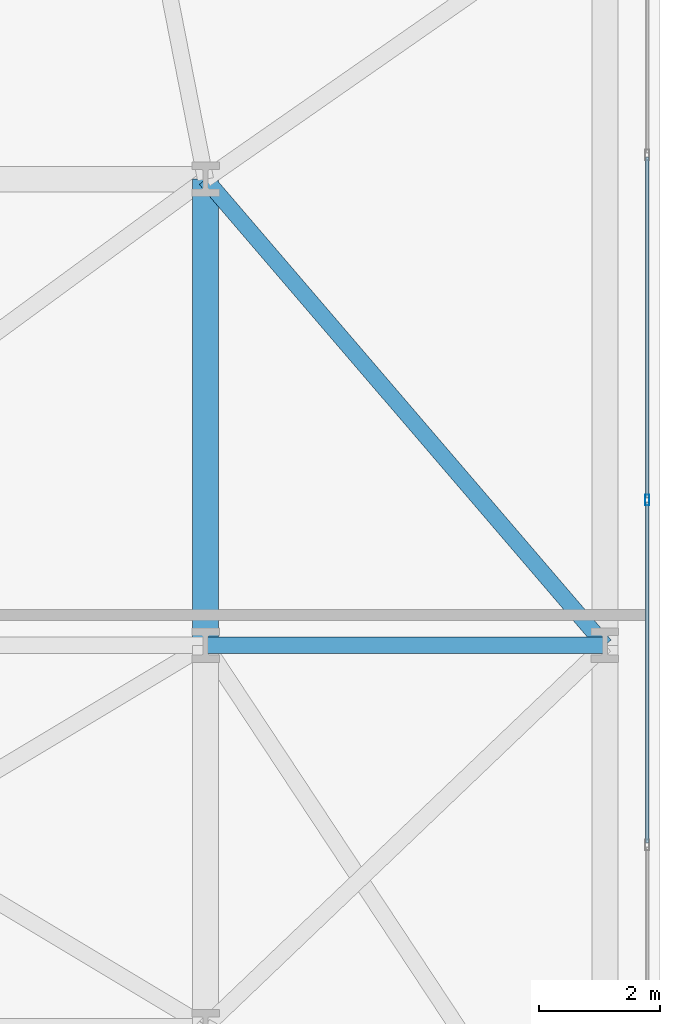
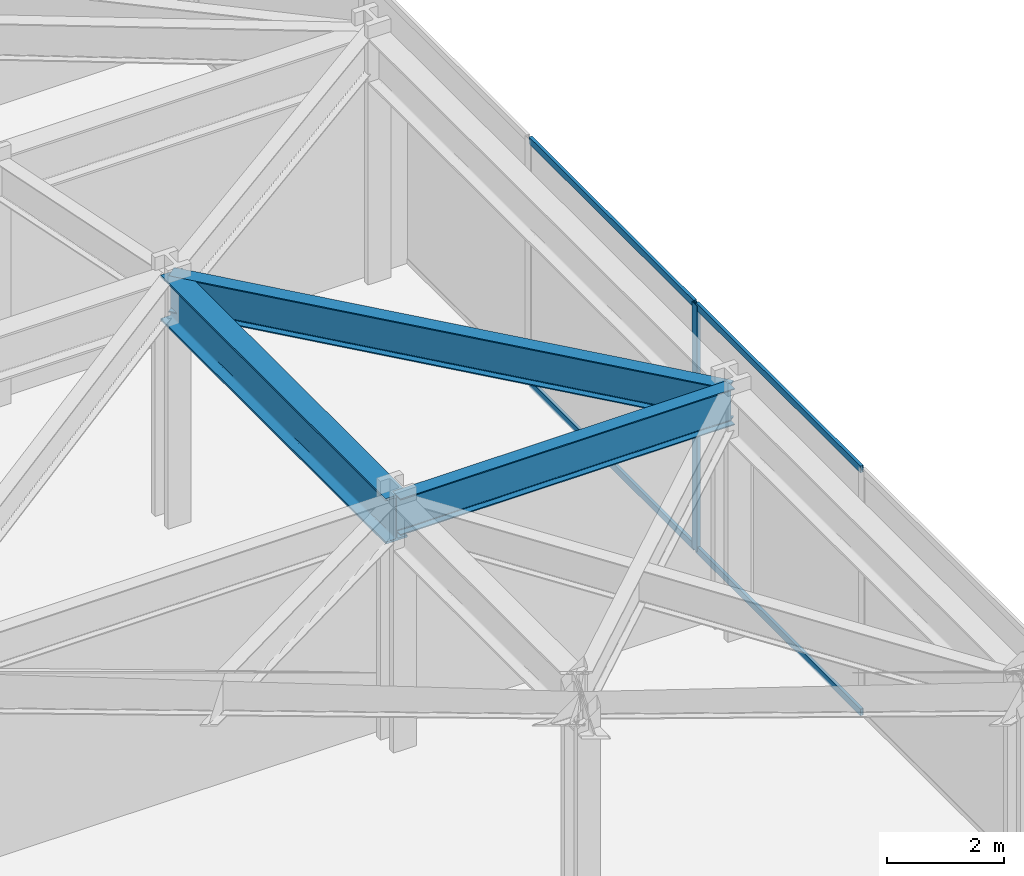
# One storey, part 21 of 31: 5 members, 3 beams, 1 element without a shape of its own.
"""IFC4 building model written with IfcOpenShell, lengths in metres."""

from ifc_helpers import new_model, si_unit, direction, frame, origin, origin_2d, place, context, subcontext, project, spatial, hollow_rectangle, i_section, extrude, material, layer, layer_set, material_profile, profile_set, type_object, element, aggregate, save


model = new_model("IFC4")

# Units and contexts
model_context = context("Model", 3, precision=1e-05, world=origin(), true_north=direction((0.0, 1.0)))
body_context = subcontext(model_context, "Body", "Model", "MODEL_VIEW")
ifc_project = project(units=[si_unit("LENGTHUNIT", "METRE"), si_unit("AREAUNIT", "SQUARE_METRE"), si_unit("VOLUMEUNIT", "CUBIC_METRE"), si_unit("PLANEANGLEUNIT", "RADIAN"), si_unit("MASSUNIT", "GRAM", prefix="KILO")], contexts=[model_context])

# Site, building, storey
site_placement = place(None, origin())
site = spatial("IfcSite", under=ifc_project, at=site_placement, CompositionType="ELEMENT")
building_placement = place(site_placement, origin())
building = spatial("IfcBuilding", under=site, at=building_placement, Name="Kravanh Interchange Tower", CompositionType="ELEMENT")
storey_placement = place(building_placement, origin())
storey = spatial("IfcBuildingStorey", under=building, at=storey_placement, Name="L00", CompositionType="ELEMENT", Elevation=0.0)

# Curtain wall, members
ifc_material_1 = material(Name="Anodised Bronze Aluminium", Category="aluminium")
ifc_layer = layer(ifc_material_1, 0.179931640625)
ifc_layer_set = layer_set([ifc_layer], Name="Unitised Curtain Wall System CW-POD Podium Concourse")
curtain_wall_type = type_object("IfcCurtainWallType", Name="Unitised Curtain Wall System CW-POD Podium Concourse", PredefinedType="NOTDEFINED", material=ifc_layer_set)
curtain_wall_placement = place(storey_placement, origin())
curtain_wall = element("IfcCurtainWall", 1, at=curtain_wall_placement, inside=storey, type_object=curtain_wall_type, Name="L00 Unitised Curtain Wall CW-L00-04", PredefinedType="NOTDEFINED")
ifc_material_2 = material(Name="Anodised Bronze Aluminium", Category="aluminium")
ifc_material_profile_1 = material_profile(ifc_material_2, hollow_rectangle(XDim=0.070068359375, YDim=0.179931640625, WallThickness=0.00390625, at=origin_2d()), Name="ALU70X180X4")
ifc_profile_set_1 = profile_set([ifc_material_profile_1], Name="Anodised Bronze Aluminium")
member_type_1 = type_object("IfcMemberType", Name="Curtain Wall Mullion ALU70X180X4 Bronze", PredefinedType="MULLION", material=ifc_profile_set_1)
member_1_placement = place(storey_placement, frame((73.800048828125, 16.89990234375, 0.0), z_axis=(0.0, 0.0, 1.0), x_axis=(-1.0, 0.0, 0.0)))
member_1 = element("IfcMember", 2, at=member_1_placement, type_object=member_type_1, Name="CW-POD mullion 3", PredefinedType="MULLION", context=body_context, shape_type="SweptSolid", body=[
    extrude(hollow_rectangle(XDim=0.070068359375, YDim=0.179931640625, WallThickness=0.00390625, at=origin_2d()), origin(), (0.0, 0.0, 1.0), 5.1298828125),
])
ifc_material_3 = material(Name="Anodised Bronze Aluminium", Category="aluminium")
ifc_material_profile_2 = material_profile(ifc_material_3, hollow_rectangle(XDim=0.06005859375, YDim=0.139892578125, WallThickness=0.00390625, at=origin_2d()), Name="ALU60X140X4")
ifc_profile_set_2 = profile_set([ifc_material_profile_2], Name="Anodised Bronze Aluminium")
member_type_2 = type_object("IfcMemberType", Name="Curtain Wall Transom ALU60X140X4 Bronze", PredefinedType="USERDEFINED", material=ifc_profile_set_2)
member_2_placement = place(storey_placement, frame((73.800048828125, 11.235107421875, 0.030029296875), z_axis=(0.0, 1.0, 0.0), x_axis=(-1.0, 0.0, 0.0)))
member_2 = element("IfcMember", 3, at=member_2_placement, type_object=member_type_2, Name="CW-POD transom 2.1", ObjectType="TRANSOM", PredefinedType="USERDEFINED", context=body_context, shape_type="SweptSolid", body=[
    extrude(hollow_rectangle(XDim=0.06005859375, YDim=0.139892578125, WallThickness=0.00390625, at=origin_2d()), origin(), (0.0, 0.0, 1.0), 5.6298828125),
])
member_3_placement = place(storey_placement, frame((73.800048828125, 11.235107421875, 5.10009765625), z_axis=(0.0, 1.0, 0.0), x_axis=(-1.0, 0.0, 0.0)))
member_3 = element("IfcMember", 4, at=member_3_placement, type_object=member_type_2, Name="CW-POD transom 2.2", ObjectType="TRANSOM", PredefinedType="USERDEFINED", context=body_context, shape_type="SweptSolid", body=[
    extrude(hollow_rectangle(XDim=0.06005859375, YDim=0.139892578125, WallThickness=0.00390625, at=origin_2d()), origin(), (0.0, 0.0, 1.0), 5.6298828125),
])
member_4_placement = place(storey_placement, frame((73.800048828125, 16.93505859375, 0.030029296875), z_axis=(0.0, 1.0, 0.0), x_axis=(-1.0, 0.0, 0.0)))
member_4 = element("IfcMember", 5, at=member_4_placement, type_object=member_type_2, Name="CW-POD transom 3.1", ObjectType="TRANSOM", PredefinedType="USERDEFINED", context=body_context, shape_type="SweptSolid", body=[
    extrude(hollow_rectangle(XDim=0.06005859375, YDim=0.139892578125, WallThickness=0.00390625, at=origin_2d()), origin(), (0.0, 0.0, 1.0), 5.6298828125),
])
member_5_placement = place(storey_placement, frame((73.800048828125, 16.93505859375, 5.10009765625), z_axis=(0.0, 1.0, 0.0), x_axis=(-1.0, 0.0, 0.0)))
member_5 = element("IfcMember", 6, at=member_5_placement, type_object=member_type_2, Name="CW-POD transom 3.2", ObjectType="TRANSOM", PredefinedType="USERDEFINED", context=body_context, shape_type="SweptSolid", body=[
    extrude(hollow_rectangle(XDim=0.06005859375, YDim=0.139892578125, WallThickness=0.00390625, at=origin_2d()), origin(), (0.0, 0.0, 1.0), 5.6298828125),
])
aggregate(curtain_wall, [member_1, member_2, member_3, member_4, member_5])

# Beams
ifc_material_4 = material(Name="Structural Steel S450", Category="steel")
ifc_material_profile_3 = material_profile(ifc_material_4, i_section(OverallWidth=0.423095703125, OverallDepth=0.947998046875, WebThickness=0.02392578125, FlangeThickness=0.042724609375, FilletRadius=0.028076171875, at=origin_2d()), Name="W36X302")
ifc_profile_set_3 = profile_set([ifc_material_profile_3], Name="Structural Steel S450")
beam_type_1 = type_object("IfcBeamType", Name="Floor Beam W36X302 Structural Steel S450", PredefinedType="BEAM", material=ifc_profile_set_3)
beam_1_placement = place(storey_placement, frame((66.5, 14.5, 4.656005859375), z_axis=(0.0, 1.0, 0.0), x_axis=(-1.0, 0.0, 0.0)))
element("IfcBeam", 7, at=beam_1_placement, inside=storey, type_object=beam_type_1, Name="L00 Primary Floor Girder 54", PredefinedType="BEAM", context=body_context, shape_type="SweptSolid", body=[
    extrude(i_section(OverallWidth=0.423095703125, OverallDepth=0.947998046875, WebThickness=0.02392578125, FlangeThickness=0.042724609375, FilletRadius=0.028076171875, at=origin_2d()), origin(), (0.0, 0.0, 1.0), 7.699951171875),
])
ifc_material_5 = material(Name="Structural Steel S355", Category="steel")
ifc_material_profile_4 = material_profile(ifc_material_5, i_section(OverallWidth=0.26708984375, OverallDepth=0.761962890625, WebThickness=0.014404296875, FlangeThickness=0.021484375, FilletRadius=0.02490234375, at=origin_2d()), Name="W30X116")
ifc_profile_set_4 = profile_set([ifc_material_profile_4], Name="Structural Steel S355")
beam_type_2 = type_object("IfcBeamType", Name="Floor Spandrel W30X116 Structural Steel S355", PredefinedType="SPANDREL", material=ifc_profile_set_4)
beam_2_placement = place(storey_placement, frame((66.5, 14.5, 4.7490234375), z_axis=(1.0, 0.0, 0.0), x_axis=(0.0, 1.0, 0.0)))
element("IfcBeam", 8, at=beam_2_placement, inside=storey, type_object=beam_type_2, Name="L00 Perimeter Spandrel 53", PredefinedType="SPANDREL", context=body_context, shape_type="SweptSolid", body=[
    extrude(i_section(OverallWidth=0.26708984375, OverallDepth=0.761962890625, WebThickness=0.014404296875, FlangeThickness=0.021484375, FilletRadius=0.02490234375, at=origin_2d()), origin(), (0.0, 0.0, 1.0), 6.60009765625),
])
beam_3_placement = place(storey_placement, frame((66.5, 22.199951171875, 4.7490234375), z_axis=(0.65079930347, -0.759249805139, 0.0), x_axis=(0.759249805139, 0.65079930347, 0.0)))
element("IfcBeam", 9, at=beam_3_placement, inside=storey, type_object=beam_type_2, Name="L00 Perimeter Spandrel 72", PredefinedType="SPANDREL", context=body_context, shape_type="SweptSolid", body=[
    extrude(i_section(OverallWidth=0.26708984375, OverallDepth=0.761962890625, WebThickness=0.014404296875, FlangeThickness=0.021484375, FilletRadius=0.02490234375, at=origin_2d()), origin(), (0.0, 0.0, 1.0), 10.1416015625),
])

save(model, "model.ifc")
